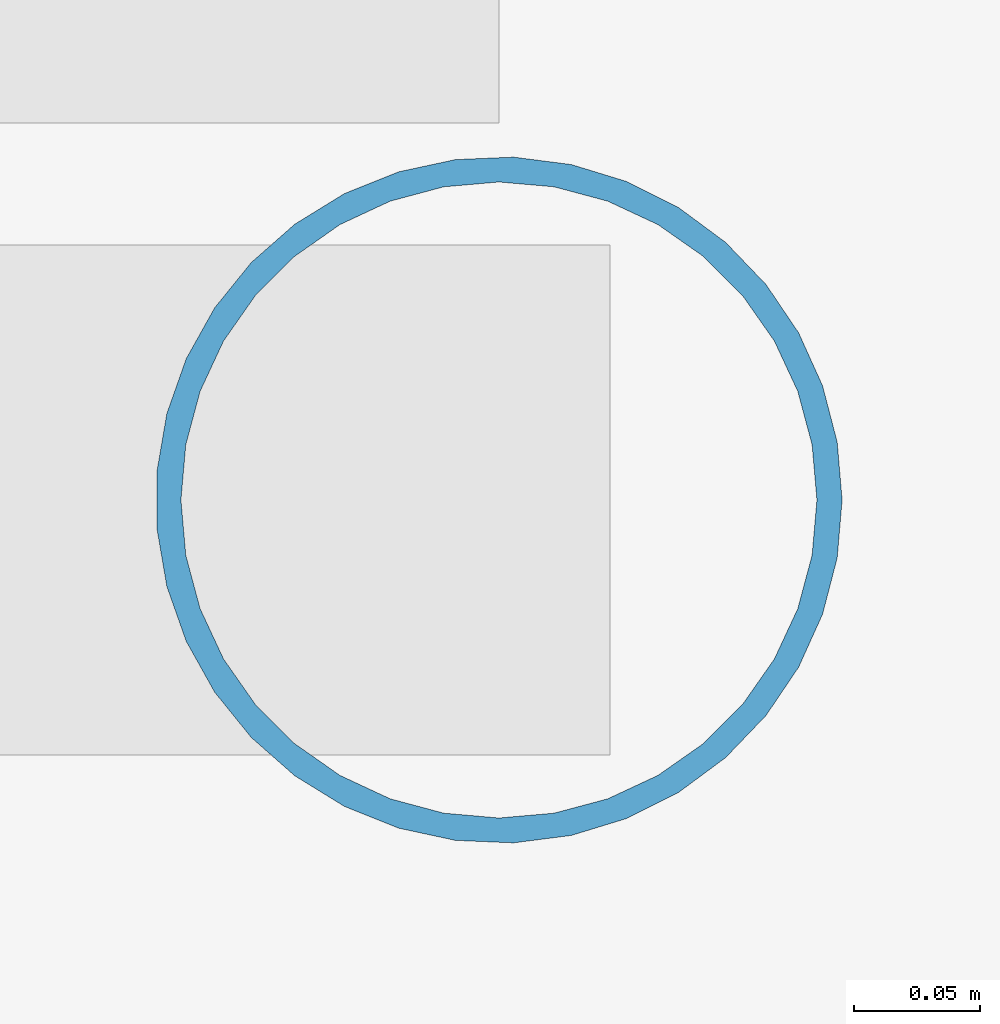
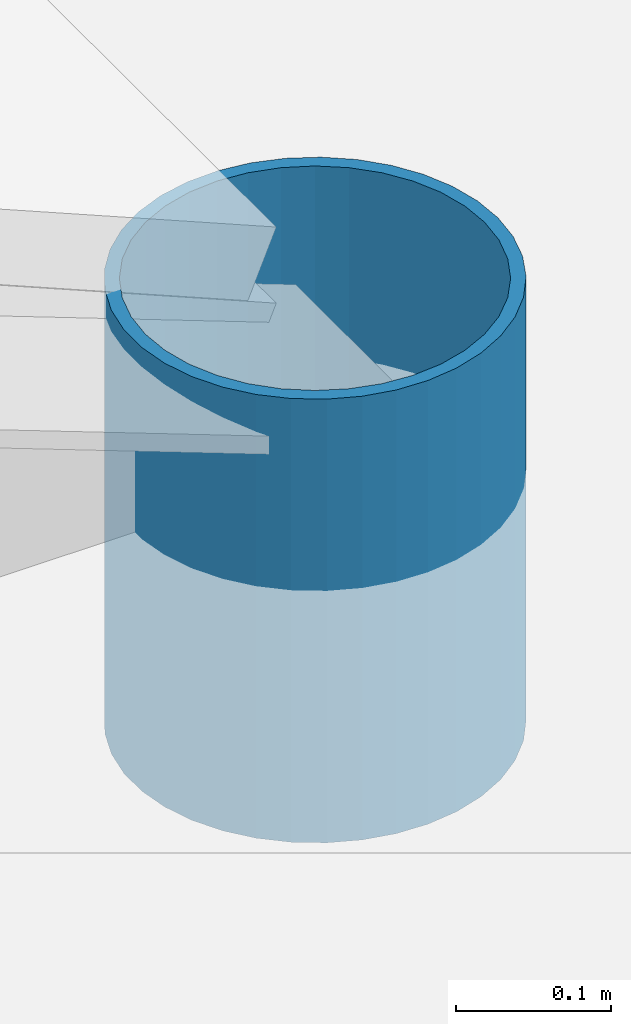
# One storey, part 6 of 43: 1 column.
"""IFC4 building model written with IfcOpenShell, lengths in metres."""

from ifc_helpers import new_model, si_unit, direction, frame, origin, origin_2d, place, context, subcontext, project, spatial, hollow_circle, extrude, material, material_profile, profile_set, type_object, element, save


model = new_model("IFC4")

# Units and contexts
model_context = context("Model", 3, precision=1e-05, world=origin(), true_north=direction((0.0, 1.0)))
body_context = subcontext(model_context, "Body", "Model", "MODEL_VIEW")
ifc_project = project(units=[si_unit("LENGTHUNIT", "METRE"), si_unit("AREAUNIT", "SQUARE_METRE"), si_unit("VOLUMEUNIT", "CUBIC_METRE"), si_unit("PLANEANGLEUNIT", "RADIAN"), si_unit("MASSUNIT", "GRAM", prefix="KILO")], contexts=[model_context])

# Site, building, storey
site_placement = place(None, origin())
site = spatial("IfcSite", under=ifc_project, at=site_placement, CompositionType="ELEMENT")
building_placement = place(site_placement, origin())
building = spatial("IfcBuilding", under=site, at=building_placement, Name="Qorikala Patio Media Centre", CompositionType="ELEMENT")
storey_placement = place(building_placement, frame((0.0, 0.0, 18.89990234375)))
storey = spatial("IfcBuildingStorey", under=building, at=storey_placement, Name="L04", CompositionType="ELEMENT", Elevation=18.89990234375)

# Column
ifc_material = material(Name="Steel S355", Category="steel")
ifc_material_profile = material_profile(ifc_material, hollow_circle(Radius=0.136474609375, WallThickness=0.010009765625, at=origin_2d()), Name="CHS273X10")
ifc_profile_set = profile_set([ifc_material_profile], Name="Steel S355")
column_type = type_object("IfcColumnType", Name="SCOL-CHS273X10", PredefinedType="COLUMN", material=ifc_profile_set)
column_placement = place(storey_placement, frame((75.0, 64.0, 0.0), z_axis=(0.0, 0.0, 1.0), x_axis=(1.0, 0.0, 0.0)))
element("IfcColumn", 1, at=column_placement, inside=storey, type_object=column_type, Name="RF-V5A Eave Post (75,64)", PredefinedType="COLUMN", context=body_context, shape_type="SweptSolid", body=[
    extrude(hollow_circle(Radius=0.136474609375, WallThickness=0.010009765625, at=origin_2d()), origin(), (0.0, 0.0, 1.0), 0.35009765625),
])

save(model, "model.ifc")
